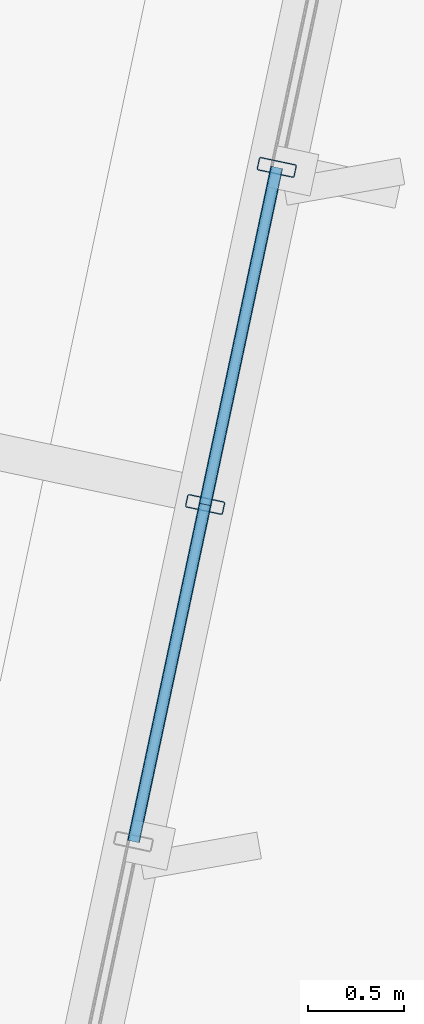
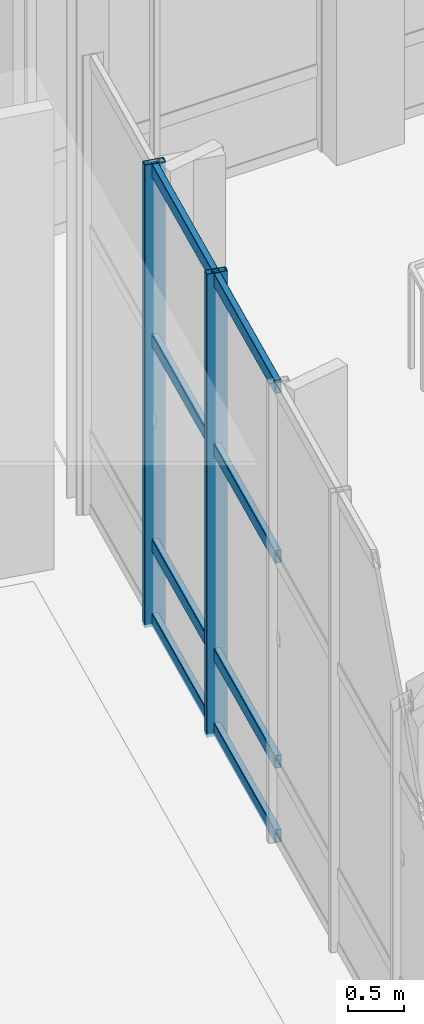
# One storey, part 33 of 163: 10 members, 1 element without a shape of its own.
"""IFC4 building model written with IfcOpenShell, lengths in metres."""

from ifc_helpers import new_model, si_unit, direction, frame, origin, origin_2d, place, context, subcontext, project, spatial, hollow_rectangle, extrude, material, layer, layer_set, material_profile, profile_set, type_object, element, aggregate, save


model = new_model("IFC4")

# Units and contexts
model_context = context("Model", 3, precision=1e-05, world=origin(), true_north=direction((0.0, 1.0)))
body_context = subcontext(model_context, "Body", "Model", "MODEL_VIEW")
ifc_project = project(units=[si_unit("LENGTHUNIT", "METRE"), si_unit("AREAUNIT", "SQUARE_METRE"), si_unit("VOLUMEUNIT", "CUBIC_METRE"), si_unit("PLANEANGLEUNIT", "RADIAN"), si_unit("MASSUNIT", "GRAM", prefix="KILO")], contexts=[model_context])

# Site, building, storey
site_placement = place(None, origin())
site = spatial("IfcSite", under=ifc_project, at=site_placement, CompositionType="ELEMENT")
building_placement = place(site_placement, origin())
building = spatial("IfcBuilding", under=site, at=building_placement, Name="Khorjan Park Terminus", CompositionType="ELEMENT")
storey_placement = place(building_placement, origin())
storey = spatial("IfcBuildingStorey", under=building, at=storey_placement, Name="L00", CompositionType="ELEMENT", Elevation=0.0)

# Curtain wall, members
ifc_material = material(Name="Anodized Bronze Aluminium", Category="aluminium")
ifc_layer = layer(ifc_material, 0.22)
ifc_layer_set = layer_set([ifc_layer], Name="Anodized Bronze Aluminium")
curtain_wall_type = type_object("IfcCurtainWallType", Name="CW-PAV-C", PredefinedType="NOTDEFINED", material=ifc_layer_set)
curtain_wall_placement = place(storey_placement, origin())
curtain_wall = element("IfcCurtainWall", 1, at=curtain_wall_placement, inside=storey, type_object=curtain_wall_type, Name="Unitized curtain wall CW-C (CW-V4-E-L00-B01)", PredefinedType="NOTDEFINED")
ifc_material_profile_1 = material_profile(ifc_material, hollow_rectangle(XDim=0.07, YDim=0.2, WallThickness=0.005, InnerFilletRadius=0.005, OuterFilletRadius=0.01, at=origin_2d()), Name="ALM 70x200x5")
ifc_profile_set_1 = profile_set([ifc_material_profile_1], Name="Anodized Bronze Aluminium")
member_type_1 = type_object("IfcMemberType", Name="ML-ALM-200", PredefinedType="MULLION", material=ifc_profile_set_1)
member_1_placement = place(storey_placement, frame((26.3273, 42.5813, -0.035), z_axis=(0.0, 0.0, 1.0), x_axis=(0.207916776669, 0.978146519689, 0.0)))
member_1 = element("IfcMember", 2, at=member_1_placement, type_object=member_type_1, Name="Curtain-wall mullion ML-20 (CW-V4-E-L00-B01-4)", PredefinedType="MULLION", context=body_context, shape_type="SweptSolid", body=[
    extrude(hollow_rectangle(XDim=0.07, YDim=0.2, WallThickness=0.005, InnerFilletRadius=0.005, OuterFilletRadius=0.01, at=origin_2d()), origin(), (0.0, 0.0, 1.0), 5.045),
])
member_2_placement = place(storey_placement, frame((26.6994, 44.3321, -0.035), z_axis=(0.0, 0.0, 1.0), x_axis=(0.207916776669, 0.978146519689, 0.0)))
member_2 = element("IfcMember", 3, at=member_2_placement, type_object=member_type_1, Name="Curtain-wall mullion ML-20 (CW-V4-E-L00-B01-5)", PredefinedType="MULLION", context=body_context, shape_type="SweptSolid", body=[
    extrude(hollow_rectangle(XDim=0.07, YDim=0.2, WallThickness=0.005, InnerFilletRadius=0.005, OuterFilletRadius=0.01, at=origin_2d()), origin(), (0.0, 0.0, 1.0), 5.045),
])
ifc_material_profile_2 = material_profile(ifc_material, hollow_rectangle(XDim=0.065, YDim=0.14, WallThickness=0.004, InnerFilletRadius=0.004, OuterFilletRadius=0.008, at=origin_2d()), Name="ALT 65x140x4")
ifc_profile_set_2 = profile_set([ifc_material_profile_2], Name="Anodized Bronze Aluminium")
member_type_2 = type_object("IfcMemberType", Name="TR-ALT-140", PredefinedType="USERDEFINED", material=ifc_profile_set_2)
member_3_placement = place(storey_placement, frame((25.9551, 40.8306, 0.04), z_axis=(0.207952973461, 0.978138824927, 0.0), x_axis=(-0.978138824927, 0.207952973461, 0.0)))
member_3 = element("IfcMember", 4, at=member_3_placement, type_object=member_type_2, Name="Curtain-wall transom TR-14 (CW-V4-E-L00-B01-3-1)", ObjectType="TRANSOM", PredefinedType="USERDEFINED", context=body_context, shape_type="SweptSolid", body=[
    extrude(hollow_rectangle(XDim=0.065, YDim=0.14, WallThickness=0.004, InnerFilletRadius=0.004, OuterFilletRadius=0.008, at=origin_2d()), origin(), (0.0, 0.0, 1.0), 1.7898),
])
member_4_placement = place(storey_placement, frame((25.9551, 40.8306, 0.85), z_axis=(0.207952973461, 0.978138824927, 0.0), x_axis=(-0.978138824927, 0.207952973461, 0.0)))
member_4 = element("IfcMember", 5, at=member_4_placement, type_object=member_type_2, Name="Curtain-wall transom TR-14 (CW-V4-E-L00-B01-3-2)", ObjectType="TRANSOM", PredefinedType="USERDEFINED", context=body_context, shape_type="SweptSolid", body=[
    extrude(hollow_rectangle(XDim=0.065, YDim=0.14, WallThickness=0.004, InnerFilletRadius=0.004, OuterFilletRadius=0.008, at=origin_2d()), origin(), (0.0, 0.0, 1.0), 1.7898),
])
member_5_placement = place(storey_placement, frame((25.9551, 40.8306, 3.0845), z_axis=(0.207952973461, 0.978138824927, 0.0), x_axis=(-0.978138824927, 0.207952973461, 0.0)))
member_5 = element("IfcMember", 6, at=member_5_placement, type_object=member_type_2, Name="Curtain-wall transom TR-14 (CW-V4-E-L00-B01-3-3)", ObjectType="TRANSOM", PredefinedType="USERDEFINED", context=body_context, shape_type="SweptSolid", body=[
    extrude(hollow_rectangle(XDim=0.065, YDim=0.14, WallThickness=0.004, InnerFilletRadius=0.004, OuterFilletRadius=0.008, at=origin_2d()), origin(), (0.0, 0.0, 1.0), 1.7898),
])
member_6_placement = place(storey_placement, frame((25.9551, 40.8306, 4.935), z_axis=(0.207952973461, 0.978138824927, 0.0), x_axis=(-0.978138824927, 0.207952973461, 0.0)))
member_6 = element("IfcMember", 7, at=member_6_placement, type_object=member_type_2, Name="Curtain-wall transom TR-14 (CW-V4-E-L00-B01-3-4)", ObjectType="TRANSOM", PredefinedType="USERDEFINED", context=body_context, shape_type="SweptSolid", body=[
    extrude(hollow_rectangle(XDim=0.065, YDim=0.14, WallThickness=0.004, InnerFilletRadius=0.004, OuterFilletRadius=0.008, at=origin_2d()), origin(), (0.0, 0.0, 1.0), 1.7898),
])
member_7_placement = place(storey_placement, frame((26.3273, 42.5813, 0.04), z_axis=(0.207888156011, 0.978152602915, 0.0), x_axis=(-0.978152602915, 0.207888156011, 0.0)))
member_7 = element("IfcMember", 8, at=member_7_placement, type_object=member_type_2, Name="Curtain-wall transom TR-14 (CW-V4-E-L00-B01-4-1)", ObjectType="TRANSOM", PredefinedType="USERDEFINED", context=body_context, shape_type="SweptSolid", body=[
    extrude(hollow_rectangle(XDim=0.065, YDim=0.14, WallThickness=0.004, InnerFilletRadius=0.004, OuterFilletRadius=0.008, at=origin_2d()), origin(), (0.0, 0.0, 1.0), 1.7899),
])
member_8_placement = place(storey_placement, frame((26.3273, 42.5813, 0.85), z_axis=(0.207888156011, 0.978152602915, 0.0), x_axis=(-0.978152602915, 0.207888156011, 0.0)))
member_8 = element("IfcMember", 9, at=member_8_placement, type_object=member_type_2, Name="Curtain-wall transom TR-14 (CW-V4-E-L00-B01-4-2)", ObjectType="TRANSOM", PredefinedType="USERDEFINED", context=body_context, shape_type="SweptSolid", body=[
    extrude(hollow_rectangle(XDim=0.065, YDim=0.14, WallThickness=0.004, InnerFilletRadius=0.004, OuterFilletRadius=0.008, at=origin_2d()), origin(), (0.0, 0.0, 1.0), 1.7899),
])
member_9_placement = place(storey_placement, frame((26.3273, 42.5813, 3.0845), z_axis=(0.207888156011, 0.978152602915, 0.0), x_axis=(-0.978152602915, 0.207888156011, 0.0)))
member_9 = element("IfcMember", 10, at=member_9_placement, type_object=member_type_2, Name="Curtain-wall transom TR-14 (CW-V4-E-L00-B01-4-3)", ObjectType="TRANSOM", PredefinedType="USERDEFINED", context=body_context, shape_type="SweptSolid", body=[
    extrude(hollow_rectangle(XDim=0.065, YDim=0.14, WallThickness=0.004, InnerFilletRadius=0.004, OuterFilletRadius=0.008, at=origin_2d()), origin(), (0.0, 0.0, 1.0), 1.7899),
])
member_10_placement = place(storey_placement, frame((26.3273, 42.5813, 4.935), z_axis=(0.207888156011, 0.978152602915, 0.0), x_axis=(-0.978152602915, 0.207888156011, 0.0)))
member_10 = element("IfcMember", 11, at=member_10_placement, type_object=member_type_2, Name="Curtain-wall transom TR-14 (CW-V4-E-L00-B01-4-4)", ObjectType="TRANSOM", PredefinedType="USERDEFINED", context=body_context, shape_type="SweptSolid", body=[
    extrude(hollow_rectangle(XDim=0.065, YDim=0.14, WallThickness=0.004, InnerFilletRadius=0.004, OuterFilletRadius=0.008, at=origin_2d()), origin(), (0.0, 0.0, 1.0), 1.7899),
])
aggregate(curtain_wall, [member_1, member_2, member_3, member_4, member_5, member_6, member_7, member_8, member_9, member_10])

save(model, "model.ifc")
